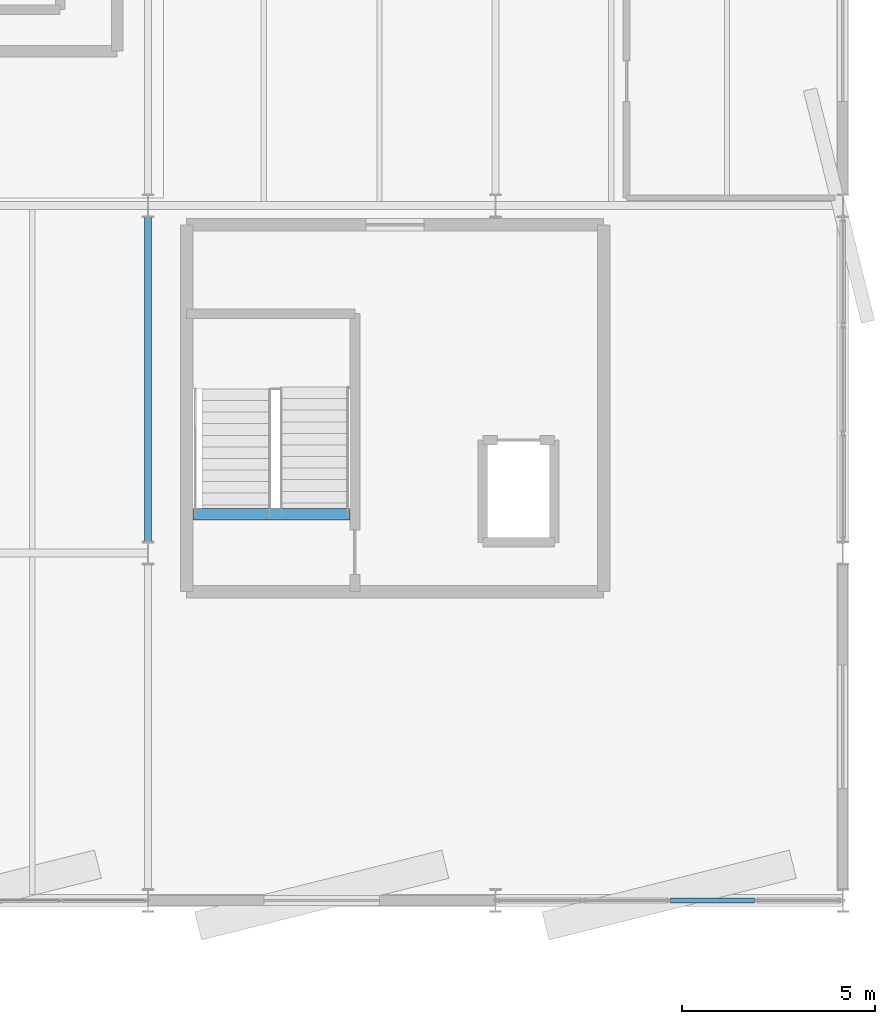
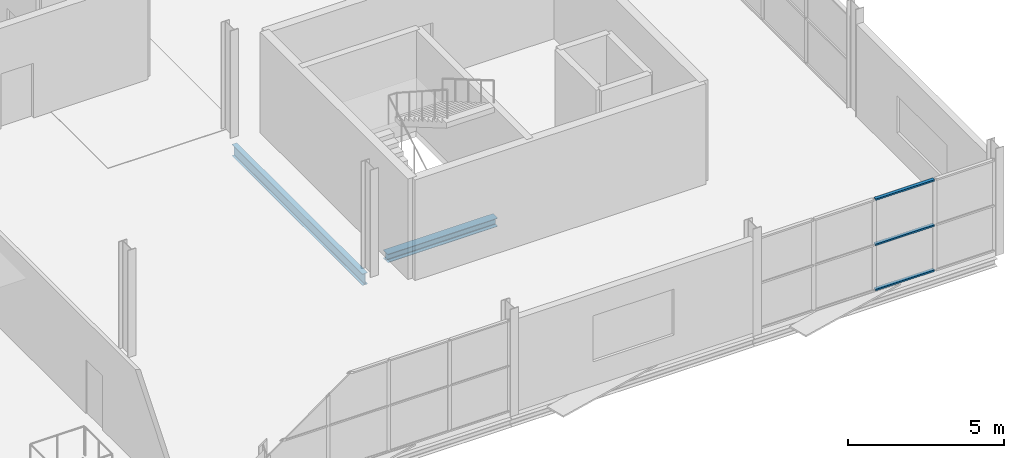
# One storey, part 83 of 135: 3 members, 2 beams, 1 element without a shape of its own.
"""IFC4 building model written with IfcOpenShell, lengths in metres."""

from ifc_helpers import new_model, si_unit, direction, frame, origin, origin_2d, place, context, subcontext, project, spatial, hollow_rectangle, i_section, extrude, material, layer, layer_set, material_profile, profile_set, type_object, element, aggregate, save


model = new_model("IFC4")

# Units and contexts
model_context = context("Model", 3, precision=1e-05, world=origin(), true_north=direction((0.0, 1.0)))
body_context = subcontext(model_context, "Body", "Model", "MODEL_VIEW")
ifc_project = project(units=[si_unit("LENGTHUNIT", "METRE"), si_unit("AREAUNIT", "SQUARE_METRE"), si_unit("VOLUMEUNIT", "CUBIC_METRE"), si_unit("PLANEANGLEUNIT", "RADIAN"), si_unit("MASSUNIT", "GRAM", prefix="KILO")], contexts=[model_context])

# Site, building, storey
site_placement = place(None, origin())
site = spatial("IfcSite", under=ifc_project, at=site_placement, CompositionType="ELEMENT")
building_placement = place(site_placement, origin())
building = spatial("IfcBuilding", under=site, at=building_placement, Name="Deido Ridge Mobility Hub", CompositionType="ELEMENT")
storey_placement = place(building_placement, frame((0.0, 0.0, 4.199951171875)))
storey = spatial("IfcBuildingStorey", under=building, at=storey_placement, Name="L01", CompositionType="ELEMENT", Elevation=4.199951171875)

# Beams
ifc_material_1 = material(Name="Steel S355J2 EN 10025-2", Category="steel")
ifc_material_profile_1 = material_profile(ifc_material_1, i_section(OverallWidth=0.300048828125, OverallDepth=0.330078125, WebThickness=0.009521484375, FlangeThickness=0.0166015625, FilletRadius=0.027099609375, at=origin_2d()), Name="HEA 340")
ifc_profile_set_1 = profile_set([ifc_material_profile_1], Name="Steel S355J2 EN 10025-2")
beam_type_1 = type_object("IfcBeamType", Name="BM-HEA340", PredefinedType="BEAM", material=ifc_profile_set_1)
beam_1_placement = place(storey_placement, frame((163.16259765625, 10.0, -0.4150390625), z_axis=(1.0, 0.0, 0.0), x_axis=(0.0, 1.0, 0.0)))
element("IfcBeam", 1, at=beam_1_placement, inside=storey, type_object=beam_type_1, Name="C1 stair landing trimmer beam B6", PredefinedType="BEAM", context=body_context, shape_type="SweptSolid", body=[
    extrude(i_section(OverallWidth=0.300048828125, OverallDepth=0.330078125, WebThickness=0.009521484375, FlangeThickness=0.0166015625, FilletRadius=0.027099609375, at=origin_2d()), origin(), (0.0, 0.0, 1.0), 4.072509765625),
])
ifc_material_profile_2 = material_profile(ifc_material_1, i_section(OverallWidth=0.18994140625, OverallDepth=0.449951171875, WebThickness=0.009521484375, FlangeThickness=0.0146484375, FilletRadius=0.02099609375, at=origin_2d()), Name="IPE 450")
ifc_profile_set_2 = profile_set([ifc_material_profile_2], Name="Steel S355J2 EN 10025-2")
beam_type_2 = type_object("IfcBeamType", Name="BM-IPE450", PredefinedType="BEAM", material=ifc_profile_set_2)
beam_2_placement = place(storey_placement, frame((162.0, 9.300048828125, -0.474853515625), z_axis=(0.0, 1.0, 0.0), x_axis=(-1.0, 0.0, 0.0)))
element("IfcBeam", 2, at=beam_2_placement, inside=storey, type_object=beam_type_2, Name="Floor beam B4", PredefinedType="BEAM", context=body_context, shape_type="SweptSolid", body=[
    extrude(i_section(OverallWidth=0.18994140625, OverallDepth=0.449951171875, WebThickness=0.009521484375, FlangeThickness=0.0146484375, FilletRadius=0.02099609375, at=origin_2d()), origin(), (0.0, 0.0, 1.0), 8.39990234375),
])

# Curtain wall, members
ifc_material_2 = material(Name="Anodised aluminium EN AW-6063 T6", Category="aluminium")
ifc_layer = layer(ifc_material_2, 0.195068359375, Name="Anodised aluminium EN AW-6063 T6")
ifc_layer_set = layer_set([ifc_layer], Name="Anodised aluminium EN AW-6063 T6")
curtain_wall_type = type_object("IfcCurtainWallType", Name="CW-UF-3", PredefinedType="USERDEFINED", material=ifc_layer_set)
curtain_wall_placement = place(storey_placement, origin())
curtain_wall = element("IfcCurtainWall", 3, at=curtain_wall_placement, inside=storey, type_object=curtain_wall_type, Name="Unitised curtain wall CW3", ObjectType="UNITISED FACADE", PredefinedType="USERDEFINED")
ifc_material_profile_3 = material_profile(ifc_material_2, hollow_rectangle(XDim=0.125, YDim=0.06005859375, WallThickness=0.00390625, at=origin_2d()), Name="RHS 125x60x4")
ifc_profile_set_3 = profile_set([ifc_material_profile_3], Name="Anodised aluminium EN AW-6063 T6")
member_type = type_object("IfcMemberType", Name="MEM-TRN-125X60", PredefinedType="USERDEFINED", material=ifc_profile_set_3)
member_1_placement = place(storey_placement, frame((175.530029296875, 0.0, 0.030029296875), z_axis=(1.0, 0.0, 0.0), x_axis=(0.0, 1.0, 0.0)))
member_1 = element("IfcMember", 4, at=member_1_placement, type_object=member_type, Name="CW3 transom 3.1", ObjectType="TRANSOM", PredefinedType="USERDEFINED", context=body_context, shape_type="SweptSolid", body=[
    extrude(hollow_rectangle(XDim=0.125, YDim=0.06005859375, WallThickness=0.00390625, at=origin_2d()), origin(), (0.0, 0.0, 1.0), 2.18603515625),
])
member_2_placement = place(storey_placement, frame((175.530029296875, 0.0, 1.800048828125), z_axis=(1.0, 0.0, 0.0), x_axis=(0.0, 1.0, 0.0)))
member_2 = element("IfcMember", 5, at=member_2_placement, type_object=member_type, Name="CW3 transom 3.2", ObjectType="TRANSOM", PredefinedType="USERDEFINED", context=body_context, shape_type="SweptSolid", body=[
    extrude(hollow_rectangle(XDim=0.125, YDim=0.06005859375, WallThickness=0.00390625, at=origin_2d()), origin(), (0.0, 0.0, 1.0), 2.18603515625),
])
member_3_placement = place(storey_placement, frame((175.530029296875, 0.0, 3.570068359375), z_axis=(1.0, 0.0, 0.0), x_axis=(0.0, 1.0, 0.0)))
member_3 = element("IfcMember", 6, at=member_3_placement, type_object=member_type, Name="CW3 transom 3.3", ObjectType="TRANSOM", PredefinedType="USERDEFINED", context=body_context, shape_type="SweptSolid", body=[
    extrude(hollow_rectangle(XDim=0.125, YDim=0.06005859375, WallThickness=0.00390625, at=origin_2d()), origin(), (0.0, 0.0, 1.0), 2.18603515625),
])
aggregate(curtain_wall, [member_1, member_2, member_3])

save(model, "model.ifc")
